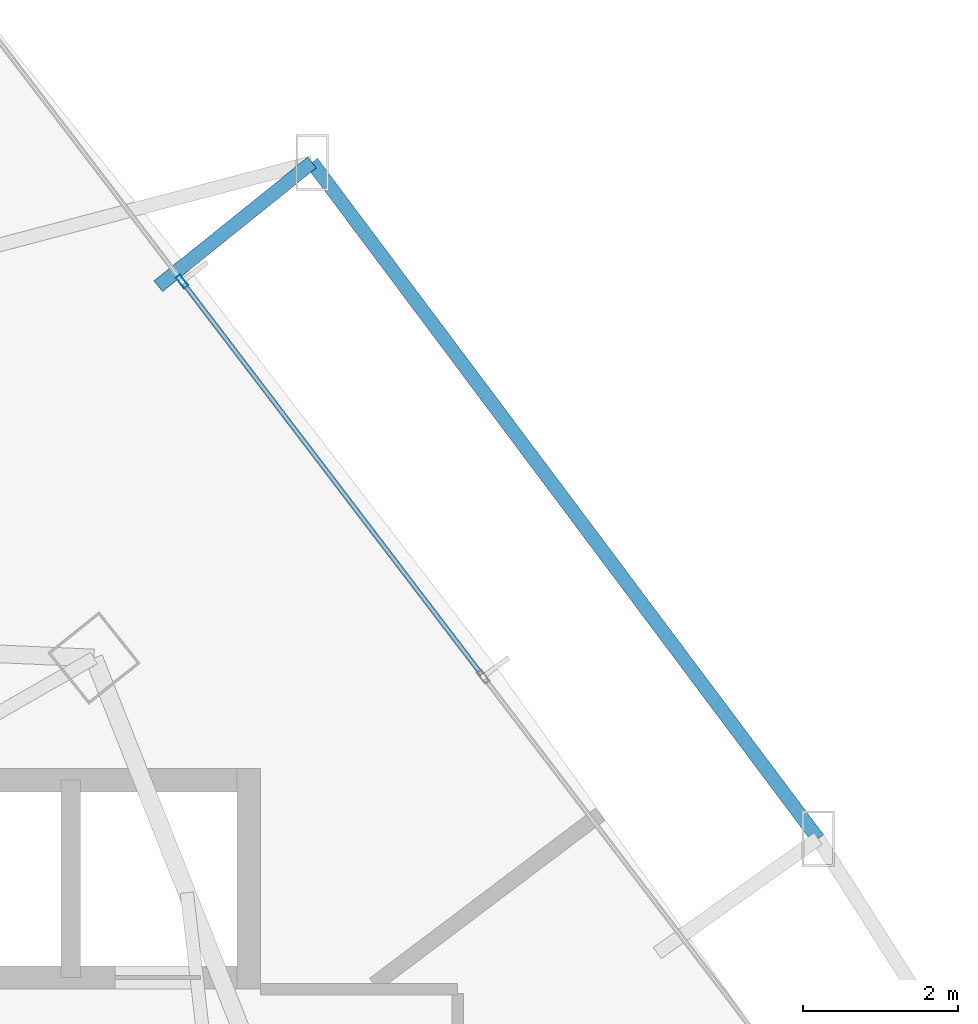
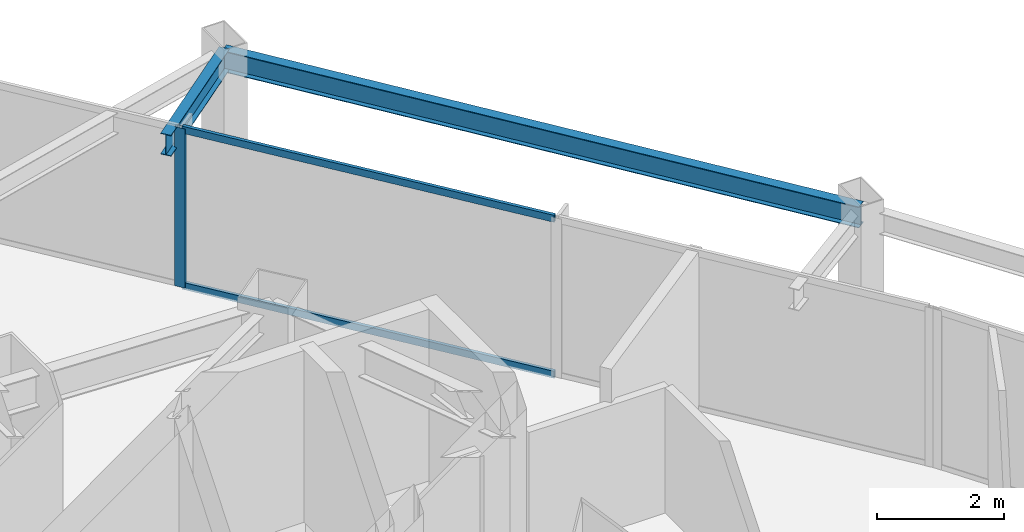
# One storey, part 30 of 38: 3 members, 2 beams, 1 element without a shape of its own.
"""IFC4 building model written with IfcOpenShell, lengths in metres."""

from ifc_helpers import new_model, si_unit, direction, frame, origin, origin_2d, place, context, subcontext, project, spatial, hollow_rectangle, i_section, extrude, material, layer, layer_set, material_profile, profile_set, type_object, element, aggregate, save


model = new_model("IFC4")

# Units and contexts
model_context = context("Model", 3, precision=1e-05, world=origin(), true_north=direction((0.0, 1.0)))
body_context = subcontext(model_context, "Body", "Model", "MODEL_VIEW")
ifc_project = project(units=[si_unit("LENGTHUNIT", "METRE"), si_unit("AREAUNIT", "SQUARE_METRE"), si_unit("VOLUMEUNIT", "CUBIC_METRE"), si_unit("PLANEANGLEUNIT", "RADIAN"), si_unit("MASSUNIT", "GRAM", prefix="KILO")], contexts=[model_context])

# Site, building, storey
site_placement = place(None, origin())
site = spatial("IfcSite", under=ifc_project, at=site_placement, CompositionType="ELEMENT")
building_placement = place(site_placement, origin())
building = spatial("IfcBuilding", under=site, at=building_placement, Name="Orvanel Arch Residences", CompositionType="ELEMENT")
storey_placement = place(building_placement, frame((0.0, 0.0, 46.699951171875)))
storey = spatial("IfcBuildingStorey", under=building, at=storey_placement, Name="L12", CompositionType="ELEMENT", Elevation=46.699951171875)

# Curtain wall, member
ifc_material_1 = material(Name="Bronze-anodised aluminium AA6063-T6", Category="aluminium")
ifc_layer = layer(ifc_material_1, 0.179931640625)
ifc_layer_set = layer_set([ifc_layer], Name="Bronze-anodised aluminium AA6063-T6")
curtain_wall_type = type_object("IfcCurtainWallType", Name="CW2-LOW-SYS", PredefinedType="NOTDEFINED", material=ifc_layer_set)
curtain_wall_placement = place(storey_placement, origin())
curtain_wall = element("IfcCurtainWall", 1, at=curtain_wall_placement, inside=storey, type_object=curtain_wall_type, Name="L12 CW2-LOW-SYS Unitised Curtain Wall", PredefinedType="NOTDEFINED")
ifc_material_profile_1 = material_profile(ifc_material_1, hollow_rectangle(XDim=0.070068359375, YDim=0.179931640625, WallThickness=0.00439453125, at=origin_2d()), Name="ALU180x70x4.5")
ifc_profile_set_1 = profile_set([ifc_material_profile_1], Name="Bronze-anodised aluminium AA6063-T6")
member_type_1 = type_object("IfcMemberType", Name="MUL-180x70", PredefinedType="MULLION", material=ifc_profile_set_1)
member_1_placement = place(storey_placement, frame((39.08935546875, 46.044677734375, 0.0), z_axis=(0.0, 0.0, 1.0), x_axis=(-0.795336402585, -0.606168299009, 0.0)))
member_1 = element("IfcMember", 2, at=member_1_placement, type_object=member_type_1, Name="CW-S2 mullion 3", PredefinedType="MULLION", context=body_context, shape_type="SweptSolid", body=[
    extrude(hollow_rectangle(XDim=0.070068359375, YDim=0.179931640625, WallThickness=0.00439453125, at=origin_2d()), origin(), (0.0, 0.0, 1.0), 3.06005859375),
])

# Beams
ifc_material_2 = material(Name="Structural steel AS/NZS 3679.1 Grade 300 (300 MPa)", Category="steel")
ifc_material_profile_2 = material_profile(ifc_material_2, i_section(OverallWidth=0.177978515625, OverallDepth=0.406005859375, WebThickness=0.0078125, FlangeThickness=0.0126953125, at=origin_2d()), Name="410UB59.7")
ifc_profile_set_2 = profile_set([ifc_material_profile_2], Name="Structural steel AS/NZS 3679.1 Grade 300 (300 MPa)")
beam_type = type_object("IfcBeamType", Name="OB-410UB-EXT", PredefinedType="SPANDREL", material=ifc_profile_set_2)
beam_1_placement = place(storey_placement, frame((47.30810546875, 38.843017578125, 2.85693359375), z_axis=(-0.599165834218, 0.800624945343, 0.0), x_axis=(-0.800624945343, -0.599165834218, 0.0)))
element("IfcBeam", 3, at=beam_1_placement, inside=storey, type_object=beam_type, Name="L12 Outer Perimeter Floor Ring Beam 11", PredefinedType="SPANDREL", context=body_context, shape_type="SweptSolid", body=[
    extrude(i_section(OverallWidth=0.177978515625, OverallDepth=0.406005859375, WebThickness=0.0078125, FlangeThickness=0.0126953125, at=origin_2d()), origin(), (0.0, 0.0, 1.0), 10.915283203125),
])
beam_2_placement = place(storey_placement, frame((38.781005859375, 45.98291015625, 2.85693359375), z_axis=(0.779053875715, 0.62695698316, 0.0), x_axis=(-0.62695698316, 0.779053875715, 0.0)))
element("IfcBeam", 4, at=beam_2_placement, inside=storey, type_object=beam_type, Name="L12 Outer Frame Radial Tie Beam 12", PredefinedType="SPANDREL", context=body_context, shape_type="SweptSolid", body=[
    extrude(i_section(OverallWidth=0.177978515625, OverallDepth=0.406005859375, WebThickness=0.0078125, FlangeThickness=0.0126953125, at=origin_2d()), origin(), (0.0, 0.0, 1.0), 2.550537109375),
])

# Member
ifc_material_profile_3 = material_profile(ifc_material_1, hollow_rectangle(XDim=0.06005859375, YDim=0.135009765625, WallThickness=0.00390625, at=origin_2d()), Name="ALU135x60x4")
ifc_profile_set_3 = profile_set([ifc_material_profile_3], Name="Bronze-anodised aluminium AA6063-T6")
member_type_2 = type_object("IfcMemberType", Name="TRN-135x60", PredefinedType="USERDEFINED", material=ifc_profile_set_3)
member_2_placement = place(storey_placement, frame((42.96142578125, 40.964111328125, 0.030029296875), z_axis=(-0.606155521701, 0.795346140691, 0.0), x_axis=(-0.795346140691, -0.606155521701, 0.0)))
member_2 = element("IfcMember", 5, at=member_2_placement, type_object=member_type_2, Name="CW-S2 transom 2.1", ObjectType="TRANSOM", PredefinedType="USERDEFINED", context=body_context, shape_type="SweptSolid", body=[
    extrude(hollow_rectangle(XDim=0.06005859375, YDim=0.135009765625, WallThickness=0.00390625, at=origin_2d()), origin(), (0.0, 0.0, 1.0), 6.352783203125),
])

member_3_placement = place(storey_placement, frame((42.96142578125, 40.964111328125, 3.030029296875), z_axis=(-0.606155521701, 0.795346140691, 0.0), x_axis=(-0.795346140691, -0.606155521701, 0.0)))
member_3 = element("IfcMember", 6, at=member_3_placement, type_object=member_type_2, Name="CW-S2 transom 2.2", ObjectType="TRANSOM", PredefinedType="USERDEFINED", context=body_context, shape_type="SweptSolid", body=[
    extrude(hollow_rectangle(XDim=0.06005859375, YDim=0.135009765625, WallThickness=0.00390625, at=origin_2d()), origin(), (0.0, 0.0, 1.0), 6.352783203125),
])

aggregate(curtain_wall, [member_1, member_2, member_3])

save(model, "model.ifc")
